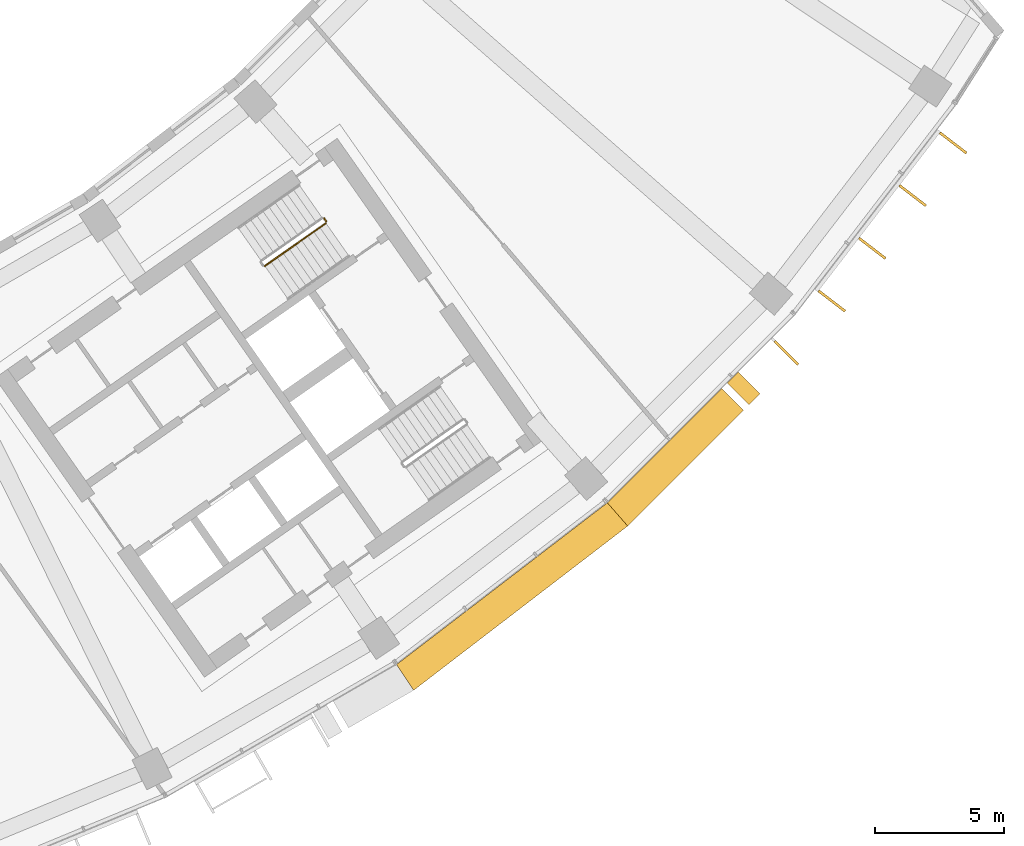
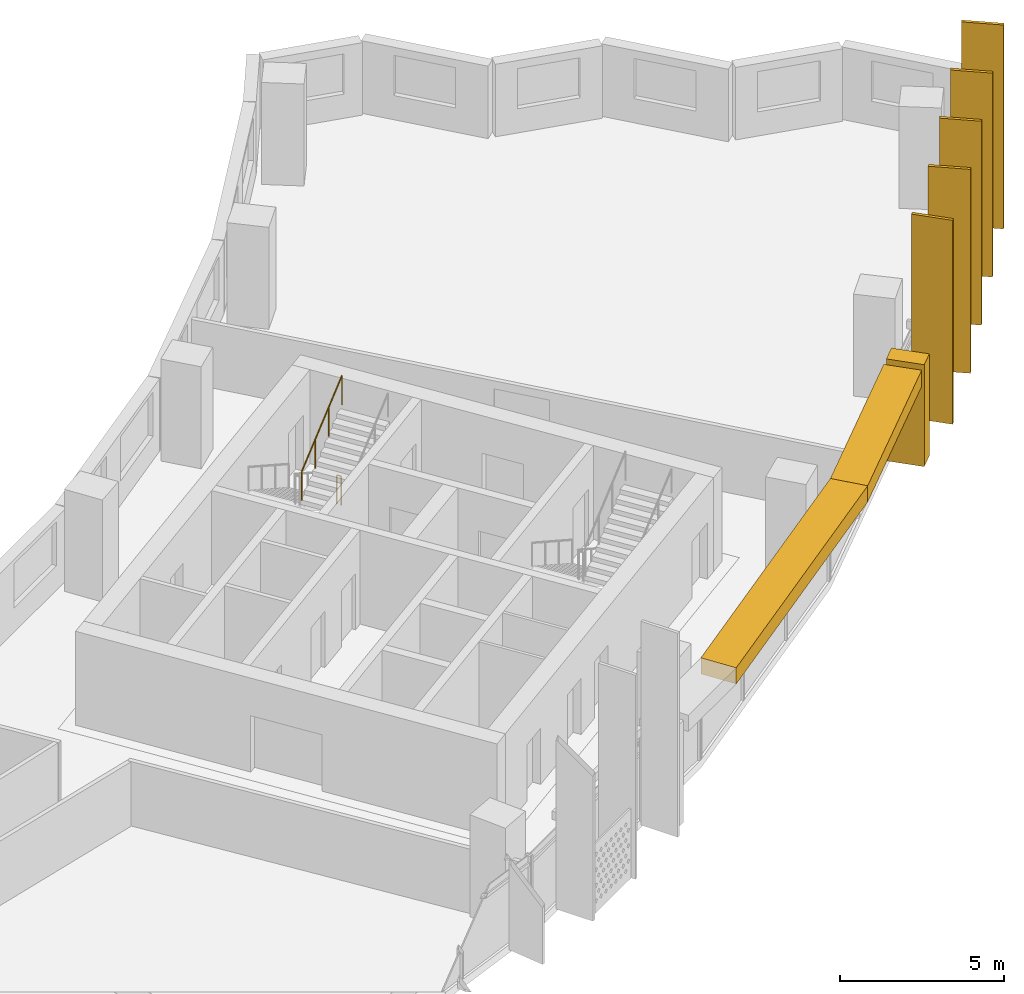
# One storey, part 27 of 27: 8 shading devices, 2 railings.
"""IFC4 building model written with IfcOpenShell, lengths in metres."""

from ifc_helpers import new_model, si_unit, direction, frame, origin, origin_2d, place, context, subcontext, project, spatial, polyline, rectangle, circle, outline, extrude, material, material_profile, profile_set, type_object, element, save


model = new_model("IFC4")

# Units and contexts
model_context = context("Model", 3, precision=1e-05, world=origin(), true_north=direction((0.0, 1.0)))
body_context = subcontext(model_context, "Body", "Model", "MODEL_VIEW")
ifc_project = project(units=[si_unit("LENGTHUNIT", "METRE"), si_unit("AREAUNIT", "SQUARE_METRE"), si_unit("VOLUMEUNIT", "CUBIC_METRE"), si_unit("PLANEANGLEUNIT", "RADIAN"), si_unit("MASSUNIT", "GRAM", prefix="KILO")], contexts=[model_context])

# Site, building, storey
site_placement = place(None, origin())
site = spatial("IfcSite", under=ifc_project, at=site_placement, CompositionType="ELEMENT")
building_placement = place(site_placement, origin())
building = spatial("IfcBuilding", under=site, at=building_placement, Name="Qamariyya Broadcast Tower", CompositionType="ELEMENT")
storey_placement = place(building_placement, frame((0.0, 0.0, 187.300048828125)))
storey = spatial("IfcBuildingStorey", under=building, at=storey_placement, Name="L44", CompositionType="ELEMENT", Elevation=187.300048828125)

# Shading devices
ifc_material_1 = material(Name="Steel S355 powder coated deep red", Category="steel")
shading_device_type_1 = type_object("IfcShadingDeviceType", Name="Deep red frame, powder coated steel box section", PredefinedType="USERDEFINED", material=ifc_material_1)
shading_device_1_placement = place(storey_placement, origin())
element("IfcShadingDevice", 1, at=shading_device_1_placement, inside=storey, type_object=shading_device_type_1, Name="e-frm-B3-F5-postb-L44", ObjectType="FRAME", PredefinedType="USERDEFINED", context=body_context, shape_type="SweptSolid", body=[
    extrude(outline(polyline([(56.74755859375, -54.736083984375), (57.595947265625, -55.584716796875), (58.020263671875, -55.160400390625), (57.171875, -54.311767578125), (56.74755859375, -54.736083984375)])), origin(), (0.0, 0.0, 1.0), 3.800048828125),
])
shading_device_2_placement = place(storey_placement, frame((0.0, 0.0, 3.199951171875)))
element("IfcShadingDevice", 2, at=shading_device_2_placement, inside=storey, type_object=shading_device_type_1, Name="e-frm-B3-F5-top1", ObjectType="FRAME", PredefinedType="USERDEFINED", context=body_context, shape_type="SweptSolid", body=[
    extrude(outline(polyline([(43.89013671875, -65.68603515625), (44.55810546875, -66.68603515625), (52.88134765625, -60.299560546875), (52.08837890625, -59.395263671875), (43.89013671875, -65.68603515625)])), origin(), (0.0, 0.0, 1.0), 0.60009765625),
])
shading_device_3_placement = place(storey_placement, frame((0.0, 0.0, 3.199951171875)))
element("IfcShadingDevice", 3, at=shading_device_3_placement, inside=storey, type_object=shading_device_type_1, Name="e-frm-B3-F5-top2", ObjectType="FRAME", PredefinedType="USERDEFINED", context=body_context, shape_type="SweptSolid", body=[
    extrude(outline(polyline([(52.08837890625, -59.395263671875), (52.88134765625, -60.299560546875), (57.384033203125, -55.796875), (56.535400390625, -54.9482421875), (52.08837890625, -59.395263671875)])), origin(), (0.0, 0.0, 1.0), 0.60009765625),
])

# Railings
ifc_material_2 = material(Name="Painted steel", Category="steel")
railing_type = type_object("IfcRailingType", Name="Stair guard", PredefinedType="GUARDRAIL", material=ifc_material_2)
railing_1_placement = place(storey_placement, frame((38.771240234375, -50.188232421875, 2.07275390625)))
element("IfcRailing", 4, at=railing_1_placement, inside=storey, type_object=railing_type, Name="L44 ST-E2 stair guard 2", PredefinedType="GUARDRAIL", context=body_context, shape_type="SweptSolid", body=[
    extrude(circle(Radius=0.02392578125, at=origin_2d()), frame((0.0, 0.0, 1.076171875), z_axis=(0.703770094002, 0.492783725636, 0.511734163933), x_axis=(-0.573575343427, 0.819152809562, 0.0)), (0.0, 0.0, 1.0), 3.37548828125),
    extrude(circle(Radius=0.02099609375, at=origin_2d()), origin(), (0.0, 0.0, 1.0), 1.052001953125),
    extrude(circle(Radius=0.02099609375, at=origin_2d()), frame((0.791748046875, 0.554443359375, 0.57568359375)), (0.0, 0.0, 1.0), 1.052001953125),
    extrude(circle(Radius=0.02099609375, at=origin_2d()), frame((1.583740234375, 1.10888671875, 1.151611328125)), (0.0, 0.0, 1.0), 1.052001953125),
    extrude(circle(Radius=0.02099609375, at=origin_2d()), frame((2.37548828125, 1.663330078125, 1.727294921875)), (0.0, 0.0, 1.0), 1.052001953125),
])
railing_2_placement = place(storey_placement, frame((41.072998046875, -48.332275390625, 0.0)))
element("IfcRailing", 5, at=railing_2_placement, inside=storey, type_object=railing_type, Name="L44 ST-E2 stair guard 3", PredefinedType="GUARDRAIL", context=body_context, shape_type="SweptSolid", body=[
    extrude(circle(Radius=0.02392578125, at=origin_2d()), frame((0.0, 0.0, 1.076171875), z_axis=(0.572588637393, -0.819842821722, 0.0), x_axis=(0.819842821722, 0.572588637393, 0.0)), (0.0, 0.0, 1.0), 0.150146484375),
    extrude(circle(Radius=0.02099609375, at=origin_2d()), origin(), (0.0, 0.0, 1.0), 1.052001953125),
    extrude(circle(Radius=0.02099609375, at=origin_2d()), frame((0.0859375, -0.123046875, 0.0)), (0.0, 0.0, 1.0), 1.052001953125),
])

# Shading devices
ifc_material_3 = material(Name="Glazed terracotta", Category="masonry")
ifc_material_profile = material_profile(ifc_material_3, rectangle(XDim=1.300048828125, YDim=0.10009765625, at=origin_2d()))
ifc_profile_set = profile_set([ifc_material_profile], Name="Glazed terracotta")
shading_device_type_2 = type_object("IfcShadingDeviceType", Name="Terracotta fin 100 x 1300", PredefinedType="USERDEFINED", material=ifc_profile_set)
for number, where, z_axis, x_axis, name in (
    (6, (59.047607421875, -53.5673828125, 0.0), (0.0, 0.0, 1.0), (0.707106781187, -0.707106781187, 0.0), "e-fin-L44-13-3"),
    (7, (60.81640625, -51.550537109375, 0.0), (0.0, 0.0, 1.0), (0.793353340291, -0.608761429009, 0.0), "e-fin-L44-14-0"),
    (8, (62.38916015625, -49.5009765625, 0.0), (0.0, 0.0, 1.0), (0.793353340291, -0.608761429009, 0.0), "e-fin-L44-14-1"),
    (9, (63.961669921875, -47.451416015625, 0.0), (0.0, 0.0, 1.0), (0.793353340291, -0.608761429009, 0.0), "e-fin-L44-14-2"),
    (10, (65.534423828125, -45.40185546875, 0.0), (0.0, 0.0, 1.0), (0.793353340291, -0.608761429009, 0.0), "e-fin-L44-14-3"),
):
    element("IfcShadingDevice", number, at=place(storey_placement, frame(where, z_axis=z_axis, x_axis=x_axis)), inside=storey, type_object=shading_device_type_2, Name=name, ObjectType="FIN", PredefinedType="USERDEFINED", context=body_context, shape_type="SweptSolid", body=[
        extrude(rectangle(XDim=1.300048828125, YDim=0.10009765625, at=origin_2d()), origin(), (0.0, 0.0, 1.0), 7.599853515625),
    ])

save(model, "model.ifc")
